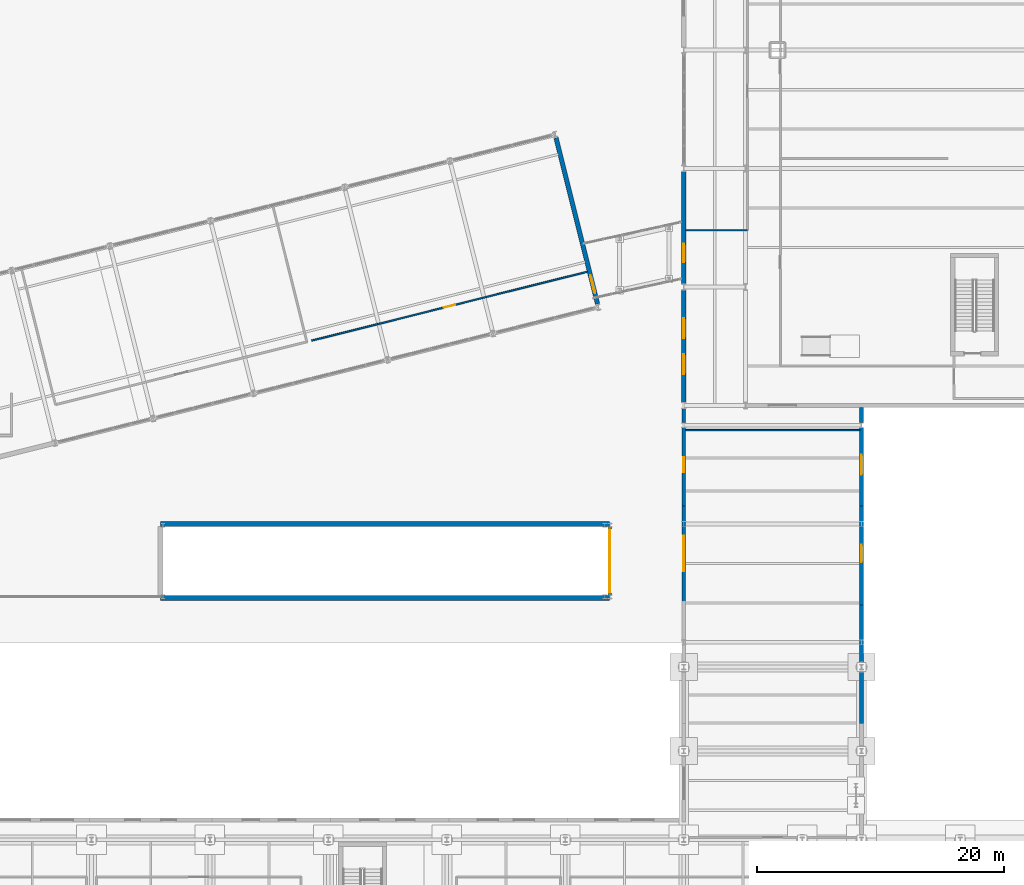
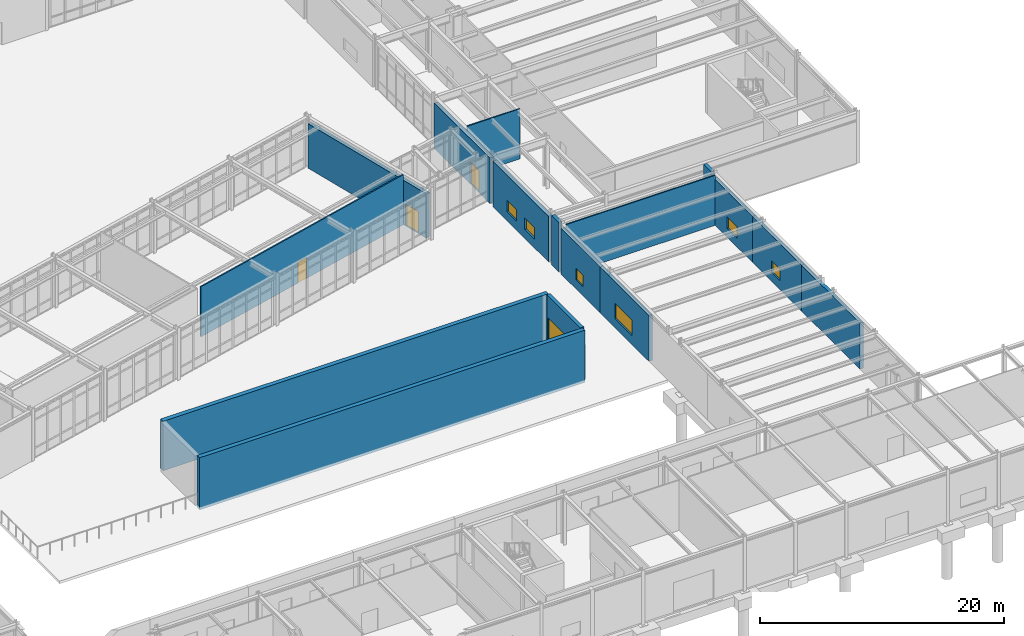
# One storey, part 88 of 109: 16 walls, 6 windows, 4 doors, 10 openings.
"""IFC4 building model written with IfcOpenShell, lengths in metres."""

from ifc_helpers import new_model, si_unit, direction, frame, frame_2d, origin, place, context, subcontext, project, spatial, rectangle, extrude, material, layer, layer_set, type_object, element, fill, save


model = new_model("IFC4")

# Units and contexts
model_context = context("Model", 3, precision=1e-05, world=origin(), true_north=direction((0.0, 1.0)))
body_context = subcontext(model_context, "Body", "Model", "MODEL_VIEW")
ifc_project = project(units=[si_unit("LENGTHUNIT", "METRE"), si_unit("AREAUNIT", "SQUARE_METRE"), si_unit("VOLUMEUNIT", "CUBIC_METRE"), si_unit("PLANEANGLEUNIT", "RADIAN"), si_unit("MASSUNIT", "GRAM", prefix="KILO")], contexts=[model_context])

# Site, building, storey
site_placement = place(None, origin())
site = spatial("IfcSite", under=ifc_project, at=site_placement, CompositionType="ELEMENT")
building_placement = place(site_placement, origin())
building = spatial("IfcBuilding", under=site, at=building_placement, Name="Nordkorset Police Headquarters", CompositionType="ELEMENT")
storey_placement = place(building_placement, origin())
storey = spatial("IfcBuildingStorey", under=building, at=storey_placement, Name="L00", CompositionType="ELEMENT", Elevation=0.0)

# Wall, opening, door
ifc_material_1 = material(Name="Precast concrete C40/50", Category="concrete")
ifc_layer_1 = layer(ifc_material_1, 0.320068359375, Name="Precast concrete C40/50")
ifc_layer_set_1 = layer_set([ifc_layer_1], Name="Precast concrete C40/50")
wall_type_1 = type_object("IfcWallType", Name="Wall_ExtPlinth_320", PredefinedType="SOLIDWALL", material=ifc_layer_set_1)
wall_1_placement = place(storey_placement, frame((80.39990234375, 32.652099609375, 0.0), z_axis=(0.0, 0.0, 1.0), x_axis=(0.0, 1.0, 0.0)))
wall_1 = element("IfcWall", 1, at=wall_1_placement, inside=storey, type_object=wall_type_1, Name="Exterior Insulated Precast Wall L00 RAMP-PORTAL-E", PredefinedType="SOLIDWALL", context=body_context, shape_type="SweptSolid", body=[
    extrude(rectangle(XDim=5.495849609375, YDim=0.320068359375, at=frame_2d((2.748046875, 0.0))), origin(), (0.0, 0.0, 1.0), 4.949951171875),
])
opening_1_placement = place(wall_1_placement, frame((0.14794921875, 0.0, 0.0)))
opening_1 = element("IfcOpeningElement", 2, at=opening_1_placement, cuts=wall_1, Name="Opening VG-03", PredefinedType="OPENING", context=body_context, shape_type="SweptSolid", body=[
    extrude(rectangle(XDim=5.199951171875, YDim=2.75, at=frame_2d((2.60009765625, 1.375))), frame((0.0, 0.169921875, 0.0), z_axis=(0.0, -1.0, 0.0), x_axis=(1.0, 0.0, 0.0)), (0.0, 0.0, 1.0), 0.340087890625),
])
ifc_material_2 = material(Name="Steel S355J2", Category="steel")
door_type_1 = type_object("IfcDoorType", Name="Shutter_CarParkRamp_5200x2750", OperationType="ROLLINGUP", PredefinedType="USERDEFINED", material=ifc_material_2)
door_1_placement = place(opening_1_placement, frame((5.199951171875, 0.0, 0.0), z_axis=(0.0, 0.0, 1.0), x_axis=(-1.0, 0.0, 0.0)))
door_1 = element("IfcDoor", 3, at=door_1_placement, inside=storey, type_object=door_type_1, Name="Basement Car Park Ramp Roller Shutter VG-03", ObjectType="ROLLER SHUTTER", OperationType="SINGLE_SWING_LEFT", OverallHeight=2.75, OverallWidth=5.199951171875, PredefinedType="USERDEFINED", context=body_context, shape_type="SweptSolid", body=[
    extrude(rectangle(XDim=5.199951171875, YDim=2.75, at=frame_2d((2.60009765625, 1.375))), frame((0.0, 0.02490234375, 0.0), z_axis=(0.0, -1.0, 0.0), x_axis=(1.0, 0.0, 0.0)), (0.0, 0.0, 1.0), 0.050048828125),
])
fill(opening_1, door_1)

# Wall, opening, window
wall_2_placement = place(storey_placement, frame((86.39990234375, 31.840087890625, 0.0), z_axis=(0.0, 0.0, 1.0), x_axis=(0.0, 1.0, 0.0)))
wall_2 = element("IfcWall", 4, at=wall_2_placement, inside=storey, type_object=wall_type_1, Name="Exterior Insulated Precast Wall L00 V7E-IN-2", PredefinedType="SOLIDWALL", context=body_context, shape_type="SweptSolid", body=[
    extrude(rectangle(XDim=8.31982421875, YDim=0.320068359375, at=frame_2d((4.159912109375, 0.0))), origin(), (0.0, 0.0, 1.0), 4.590087890625),
])
opening_2_placement = place(wall_2_placement, frame((2.735107421875, 0.0, 0.89990234375)))
opening_2 = element("IfcOpeningElement", 5, at=opening_2_placement, cuts=wall_2, Name="Opening WN-42", PredefinedType="OPENING", context=body_context, shape_type="SweptSolid", body=[
    extrude(rectangle(XDim=2.85009765625, YDim=1.550048828125, at=frame_2d((1.425048828125, 0.77490234375))), frame((0.0, 0.169921875, 0.0), z_axis=(0.0, -1.0, 0.0), x_axis=(1.0, 0.0, 0.0)), (0.0, 0.0, 1.0), 0.340087890625),
])
ifc_material_3 = material(Name="Low-iron triple glazing", Category="glass")
window_type_1 = type_object("IfcWindowType", Name="Win_2850x1550", PartitioningType="SINGLE_PANEL", PredefinedType="WINDOW", material=ifc_material_3)
window_1_placement = place(opening_2_placement, origin())
window_1 = element("IfcWindow", 6, at=window_1_placement, inside=storey, type_object=window_type_1, Name="Triple-Glazed Exterior Window L00 V7E-IN-2-1", OverallHeight=1.550048828125, OverallWidth=2.85009765625, PartitioningType="SINGLE_PANEL", PredefinedType="WINDOW", context=body_context, shape_type="SweptSolid", body=[
    extrude(rectangle(XDim=2.85009765625, YDim=1.550048828125, at=frame_2d((1.425048828125, 0.77490234375))), frame((0.0, 0.030029296875, 0.0), z_axis=(0.0, -1.0, 0.0), x_axis=(1.0, 0.0, 0.0)), (0.0, 0.0, 1.0), 0.06005859375),
])
fill(opening_2, window_1)

wall_3_placement = place(storey_placement, frame((86.39990234375, 39.840087890625, 0.0), z_axis=(0.0, 0.0, 1.0), x_axis=(0.0, 1.0, 0.0)))
wall_3 = element("IfcWall", 7, at=wall_3_placement, inside=storey, type_object=wall_type_1, Name="Exterior Insulated Precast Wall L00 V7E-IN-3", PredefinedType="SOLIDWALL", context=body_context, shape_type="SweptSolid", body=[
    extrude(rectangle(XDim=6.35791015625, YDim=0.320068359375, at=frame_2d((3.178955078125, 0.0))), origin(), (0.0, 0.0, 1.0), 4.590087890625),
])
opening_3_placement = place(wall_3_placement, frame((2.760009765625, 0.0, 0.89990234375)))
opening_3 = element("IfcOpeningElement", 8, at=opening_3_placement, cuts=wall_3, Name="Opening WN-19", PredefinedType="OPENING", context=body_context, shape_type="SweptSolid", body=[
    extrude(rectangle(XDim=1.199951171875, YDim=1.14990234375, at=frame_2d((0.60009765625, 0.574951171875))), frame((0.0, 0.169921875, 0.0), z_axis=(0.0, -1.0, 0.0), x_axis=(1.0, 0.0, 0.0)), (0.0, 0.0, 1.0), 0.340087890625),
])
ifc_material_4 = material(Name="Low-iron triple glazing", Category="glass")
window_type_2 = type_object("IfcWindowType", Name="Win_1200x1150", PartitioningType="SINGLE_PANEL", PredefinedType="WINDOW", material=ifc_material_4)
window_2_placement = place(opening_3_placement, origin())
window_2 = element("IfcWindow", 9, at=window_2_placement, inside=storey, type_object=window_type_2, Name="Triple-Glazed Exterior Window L00 V7E-IN-3-1", OverallHeight=1.14990234375, OverallWidth=1.199951171875, PartitioningType="SINGLE_PANEL", PredefinedType="WINDOW", context=body_context, shape_type="SweptSolid", body=[
    extrude(rectangle(XDim=1.199951171875, YDim=1.14990234375, at=frame_2d((0.60009765625, 0.574951171875))), frame((0.0, 0.030029296875, 0.0), z_axis=(0.0, -1.0, 0.0), x_axis=(1.0, 0.0, 0.0)), (0.0, 0.0, 1.0), 0.06005859375),
])
fill(opening_3, window_2)

# Wall
wall_4_placement = place(storey_placement, frame((100.800048828125, 22.239990234375, 0.0), z_axis=(0.0, 0.0, 1.0), x_axis=(0.0, 1.0, 0.0)))
element("IfcWall", 10, at=wall_4_placement, inside=storey, type_object=wall_type_1, Name="Exterior Insulated Precast Wall L00 V7E-OUT-1", PredefinedType="SOLIDWALL", context=body_context, shape_type="SweptSolid", body=[
    extrude(rectangle(XDim=9.919921875, YDim=0.320068359375, at=frame_2d((4.9599609375, 0.0))), origin(), (0.0, 0.0, 1.0), 4.590087890625),
])

# Wall, opening, window
wall_5_placement = place(storey_placement, frame((100.800048828125, 31.840087890625, 0.0), z_axis=(0.0, 0.0, 1.0), x_axis=(0.0, 1.0, 0.0)))
wall_5 = element("IfcWall", 11, at=wall_5_placement, inside=storey, type_object=wall_type_1, Name="Exterior Insulated Precast Wall L00 V7E-OUT-2", PredefinedType="SOLIDWALL", context=body_context, shape_type="SweptSolid", body=[
    extrude(rectangle(XDim=8.31982421875, YDim=0.320068359375, at=frame_2d((4.159912109375, 0.0))), origin(), (0.0, 0.0, 1.0), 4.590087890625),
])
opening_4_placement = place(wall_5_placement, frame((3.4599609375, 0.0, 0.89990234375)))
opening_4 = element("IfcOpeningElement", 12, at=opening_4_placement, cuts=wall_5, Name="Opening WN-16", PredefinedType="OPENING", context=body_context, shape_type="SweptSolid", body=[
    extrude(rectangle(XDim=1.39990234375, YDim=1.14990234375, at=frame_2d((0.699951171875, 0.574951171875))), frame((0.0, 0.169921875, 0.0), z_axis=(0.0, -1.0, 0.0), x_axis=(1.0, 0.0, 0.0)), (0.0, 0.0, 1.0), 0.340087890625),
])
ifc_material_5 = material(Name="Low-iron triple glazing", Category="glass")
window_type_3 = type_object("IfcWindowType", Name="Win_1400x1150", PartitioningType="SINGLE_PANEL", PredefinedType="WINDOW", material=ifc_material_5)
window_3_placement = place(opening_4_placement, origin())
window_3 = element("IfcWindow", 13, at=window_3_placement, inside=storey, type_object=window_type_3, Name="Triple-Glazed Exterior Window L00 V7E-OUT-2-1", OverallHeight=1.14990234375, OverallWidth=1.39990234375, PartitioningType="SINGLE_PANEL", PredefinedType="WINDOW", context=body_context, shape_type="SweptSolid", body=[
    extrude(rectangle(XDim=1.39990234375, YDim=1.14990234375, at=frame_2d((0.699951171875, 0.574951171875))), frame((0.0, 0.030029296875, 0.0), z_axis=(0.0, -1.0, 0.0), x_axis=(1.0, 0.0, 0.0)), (0.0, 0.0, 1.0), 0.06005859375),
])
fill(opening_4, window_3)

wall_6_placement = place(storey_placement, frame((100.800048828125, 39.840087890625, 0.0), z_axis=(0.0, 0.0, 1.0), x_axis=(0.0, 1.0, 0.0)))
wall_6 = element("IfcWall", 14, at=wall_6_placement, inside=storey, type_object=wall_type_1, Name="Exterior Insulated Precast Wall L00 V7E-OUT-3", PredefinedType="SOLIDWALL", context=body_context, shape_type="SweptSolid", body=[
    extrude(rectangle(XDim=6.35791015625, YDim=0.320068359375, at=frame_2d((3.178955078125, 0.0))), origin(), (0.0, 0.0, 1.0), 4.590087890625),
])
opening_5_placement = place(wall_6_placement, frame((2.56005859375, 0.0, 0.89990234375)))
opening_5 = element("IfcOpeningElement", 15, at=opening_5_placement, cuts=wall_6, Name="Opening WN-17", PredefinedType="OPENING", context=body_context, shape_type="SweptSolid", body=[
    extrude(rectangle(XDim=1.60009765625, YDim=1.14990234375, at=frame_2d((0.800048828125, 0.574951171875))), frame((0.0, 0.169921875, 0.0), z_axis=(0.0, -1.0, 0.0), x_axis=(1.0, 0.0, 0.0)), (0.0, 0.0, 1.0), 0.340087890625),
])
ifc_material_6 = material(Name="Low-iron triple glazing", Category="glass")
window_type_4 = type_object("IfcWindowType", Name="Win_1600x1150", PartitioningType="SINGLE_PANEL", PredefinedType="WINDOW", material=ifc_material_6)
window_4_placement = place(opening_5_placement, origin())
window_4 = element("IfcWindow", 16, at=window_4_placement, inside=storey, type_object=window_type_4, Name="Triple-Glazed Exterior Window L00 V7E-OUT-3-1", OverallHeight=1.14990234375, OverallWidth=1.60009765625, PartitioningType="SINGLE_PANEL", PredefinedType="WINDOW", context=body_context, shape_type="SweptSolid", body=[
    extrude(rectangle(XDim=1.60009765625, YDim=1.14990234375, at=frame_2d((0.800048828125, 0.574951171875))), frame((0.0, 0.030029296875, 0.0), z_axis=(0.0, -1.0, 0.0), x_axis=(1.0, 0.0, 0.0)), (0.0, 0.0, 1.0), 0.06005859375),
])
fill(opening_5, window_4)

# Walls
wall_7_placement = place(storey_placement, frame((86.39990234375, 46.60205078125, 0.0), z_axis=(0.0, 0.0, 1.0), x_axis=(0.0, 1.0, 0.0)))
element("IfcWall", 17, at=wall_7_placement, inside=storey, type_object=wall_type_1, Name="Exterior Insulated Precast Wall L00 V7E-JNC-I", PredefinedType="SOLIDWALL", context=body_context, shape_type="SweptSolid", body=[
    extrude(rectangle(XDim=1.14599609375, YDim=0.320068359375, at=frame_2d((0.572998046875, 0.0))), origin(), (0.0, 0.0, 1.0), 4.949951171875),
])
wall_8_placement = place(storey_placement, frame((100.800048828125, 46.60205078125, 0.0), z_axis=(0.0, 0.0, 1.0), x_axis=(0.0, 1.0, 0.0)))
element("IfcWall", 18, at=wall_8_placement, inside=storey, type_object=wall_type_1, Name="Exterior Insulated Precast Wall L00 V7E-JNC-O", PredefinedType="SOLIDWALL", context=body_context, shape_type="SweptSolid", body=[
    extrude(rectangle(XDim=1.221923828125, YDim=0.320068359375, at=frame_2d((0.61083984375, 0.0))), origin(), (0.0, 0.0, 1.0), 4.949951171875),
])

# Wall, opening, door
ifc_material_7 = material(Name="Precast concrete C40/50", Category="concrete")
ifc_layer_2 = layer(ifc_material_7, 0.360107421875, Name="Precast concrete C40/50")
ifc_layer_set_2 = layer_set([ifc_layer_2], Name="Precast concrete C40/50")
wall_type_2 = type_object("IfcWallType", Name="Wall_ExtPrecast_360", PredefinedType="SOLIDWALL", material=ifc_layer_set_2)
wall_9_placement = place(storey_placement, frame((79.419189453125, 56.214599609375, 0.0), z_axis=(0.0, 0.0, 1.0), x_axis=(-0.242543892923, 0.970140433136, 0.0)))
wall_9 = element("IfcWall", 19, at=wall_9_placement, inside=storey, type_object=wall_type_2, Name="Exterior Insulated Precast Wall L00 V4E-0", PredefinedType="SOLIDWALL", context=body_context, shape_type="SweptSolid", body=[
    extrude(rectangle(XDim=13.89599609375, YDim=0.360107421875, at=frame_2d((6.947998046875, 0.0))), origin(), (0.0, 0.0, 1.0), 4.43994140625),
])
opening_6_placement = place(wall_9_placement, frame((0.91796875, 0.0, 0.0)))
opening_6 = element("IfcOpeningElement", 20, at=opening_6_placement, cuts=wall_9, Name="Opening EXD-03", PredefinedType="OPENING", context=body_context, shape_type="SweptSolid", body=[
    extrude(rectangle(XDim=1.5, YDim=2.199951171875, at=frame_2d((0.75, 1.10009765625))), frame((0.0, 0.18994140625, 0.0), z_axis=(0.0, -1.0, 0.0), x_axis=(1.0, 0.0, 0.0)), (0.0, 0.0, 1.0), 0.380126953125),
])
ifc_material_8 = material(Name="Aluminium alloy AW-6060", Category="aluminium")
door_type_2 = type_object("IfcDoorType", Name="ExtDoor_BridgePortal_1500x2200", OperationType="DOUBLE_DOOR_SINGLE_SWING", PredefinedType="DOOR", material=ifc_material_8)
door_2_placement = place(opening_6_placement, frame((1.5, 0.0, 0.0), z_axis=(0.0, 0.0, 1.0), x_axis=(-1.0, 0.0, 0.0)))
door_2 = element("IfcDoor", 21, at=door_2_placement, inside=storey, type_object=door_type_2, Name="East Link Bridge Portal Door V4 L00", OperationType="SINGLE_SWING_LEFT", OverallHeight=2.199951171875, OverallWidth=1.5, PredefinedType="DOOR", context=body_context, shape_type="SweptSolid", body=[
    extrude(rectangle(XDim=1.5, YDim=2.199951171875, at=frame_2d((0.75, 1.10009765625))), frame((0.0, 0.02490234375, 0.0), z_axis=(0.0, -1.0, 0.0), x_axis=(1.0, 0.0, 0.0)), (0.0, 0.0, 1.0), 0.050048828125),
])
fill(opening_6, door_2)

# Wall, openings, windows
wall_10_placement = place(storey_placement, frame((86.39990234375, 48.251953125, 0.0), z_axis=(0.0, 0.0, 1.0), x_axis=(0.0, 1.0, 0.0)))
wall_10 = element("IfcWall", 22, at=wall_10_placement, inside=storey, type_object=wall_type_2, Name="Exterior Insulated Precast Wall L00 V5W-0", PredefinedType="SOLIDWALL", context=body_context, shape_type="SweptSolid", body=[
    extrude(rectangle(XDim=9.095947265625, YDim=0.360107421875, at=frame_2d((4.5478515625, 0.0))), origin(), (0.0, 0.0, 1.0), 4.5400390625),
])
opening_7_placement = place(wall_10_placement, frame((2.28125, 0.0, 0.89990234375)))
opening_7 = element("IfcOpeningElement", 23, at=opening_7_placement, cuts=wall_10, Name="Opening WN-17", PredefinedType="OPENING", context=body_context, shape_type="SweptSolid", body=[
    extrude(rectangle(XDim=1.60009765625, YDim=1.14990234375, at=frame_2d((0.800048828125, 0.574951171875))), frame((0.0, 0.18994140625, 0.0), z_axis=(0.0, -1.0, 0.0), x_axis=(1.0, 0.0, 0.0)), (0.0, 0.0, 1.0), 0.380126953125),
])
opening_8_placement = place(wall_10_placement, frame((5.214599609375, 0.0, 0.89990234375)))
opening_8 = element("IfcOpeningElement", 24, at=opening_8_placement, cuts=wall_10, Name="Opening WN-17", PredefinedType="OPENING", context=body_context, shape_type="SweptSolid", body=[
    extrude(rectangle(XDim=1.60009765625, YDim=1.14990234375, at=frame_2d((0.800048828125, 0.574951171875))), frame((0.0, 0.18994140625, 0.0), z_axis=(0.0, -1.0, 0.0), x_axis=(1.0, 0.0, 0.0)), (0.0, 0.0, 1.0), 0.380126953125),
])
window_5_placement = place(opening_7_placement, origin())
window_5 = element("IfcWindow", 25, at=window_5_placement, inside=storey, type_object=window_type_4, Name="Triple-Glazed Exterior Window L00 V5W-0-1", OverallHeight=1.14990234375, OverallWidth=1.60009765625, PartitioningType="SINGLE_PANEL", PredefinedType="WINDOW", context=body_context, shape_type="SweptSolid", body=[
    extrude(rectangle(XDim=1.60009765625, YDim=1.14990234375, at=frame_2d((0.800048828125, 0.574951171875))), frame((0.0, 0.030029296875, 0.0), z_axis=(0.0, -1.0, 0.0), x_axis=(1.0, 0.0, 0.0)), (0.0, 0.0, 1.0), 0.06005859375),
])
fill(opening_7, window_5)
window_6_placement = place(opening_8_placement, origin())
window_6 = element("IfcWindow", 26, at=window_6_placement, inside=storey, type_object=window_type_4, Name="Triple-Glazed Exterior Window L00 V5W-0-2", OverallHeight=1.14990234375, OverallWidth=1.60009765625, PartitioningType="SINGLE_PANEL", PredefinedType="WINDOW", context=body_context, shape_type="SweptSolid", body=[
    extrude(rectangle(XDim=1.60009765625, YDim=1.14990234375, at=frame_2d((0.800048828125, 0.574951171875))), frame((0.0, 0.030029296875, 0.0), z_axis=(0.0, -1.0, 0.0), x_axis=(1.0, 0.0, 0.0)), (0.0, 0.0, 1.0), 0.06005859375),
])
fill(opening_8, window_6)

# Wall, opening, door
wall_11_placement = place(storey_placement, frame((86.39990234375, 57.85205078125, 0.0), z_axis=(0.0, 0.0, 1.0), x_axis=(0.0, 1.0, 0.0)))
wall_11 = element("IfcWall", 27, at=wall_11_placement, inside=storey, type_object=wall_type_2, Name="Exterior Insulated Precast Wall L00 V5W-1", PredefinedType="SOLIDWALL", context=body_context, shape_type="SweptSolid", body=[
    extrude(rectangle(XDim=9.095947265625, YDim=0.360107421875, at=frame_2d((4.5478515625, 0.0))), origin(), (0.0, 0.0, 1.0), 4.5400390625),
])
opening_9_placement = place(wall_11_placement, frame((1.748046875, 0.0, 0.0)))
opening_9 = element("IfcOpeningElement", 28, at=opening_9_placement, cuts=wall_11, Name="Opening EXD-03", PredefinedType="OPENING", context=body_context, shape_type="SweptSolid", body=[
    extrude(rectangle(XDim=1.5, YDim=2.199951171875, at=frame_2d((0.75, 1.10009765625))), frame((0.0, 0.18994140625, 0.0), z_axis=(0.0, -1.0, 0.0), x_axis=(1.0, 0.0, 0.0)), (0.0, 0.0, 1.0), 0.380126953125),
])
door_3_placement = place(opening_9_placement, origin())
door_3 = element("IfcDoor", 29, at=door_3_placement, inside=storey, type_object=door_type_2, Name="East Link Bridge Portal Door V5 L00", OperationType="SINGLE_SWING_LEFT", OverallHeight=2.199951171875, OverallWidth=1.5, PredefinedType="DOOR", context=body_context, shape_type="SweptSolid", body=[
    extrude(rectangle(XDim=1.5, YDim=2.199951171875, at=frame_2d((0.75, 1.10009765625))), frame((0.0, 0.02490234375, 0.0), z_axis=(0.0, -1.0, 0.0), x_axis=(1.0, 0.0, 0.0)), (0.0, 0.0, 1.0), 0.050048828125),
])
fill(opening_9, door_3)

ifc_material_9 = material(Name="Gypsum board", Category="gypsum")
ifc_layer_3 = layer(ifc_material_9, 0.1201171875, Name="Gypsum board")
ifc_layer_set_3 = layer_set([ifc_layer_3], Name="Gypsum board")
wall_type_3 = type_object("IfcWallType", Name="Wall_Part_120", PredefinedType="PARTITIONING", material=ifc_layer_set_3)
wall_12_placement = place(storey_placement, frame((56.245361328125, 53.253662109375, 0.0), z_axis=(0.0, 0.0, 1.0), x_axis=(0.970141252682, 0.242540614836, 0.0)))
wall_12 = element("IfcWall", 30, at=wall_12_placement, inside=storey, type_object=wall_type_3, Name="Interior Partition Wall Commercial Kitchen and Serveries", PredefinedType="PARTITIONING", context=body_context, shape_type="SweptSolid", body=[
    extrude(rectangle(XDim=23.02490234375, YDim=0.1201171875, at=frame_2d((11.512451171875, 0.0))), origin(), (0.0, 0.0, 1.0), 5.0),
])
opening_10_placement = place(wall_12_placement, frame((11.0224609375, 0.0, 0.0)))
opening_10 = element("IfcOpeningElement", 31, at=opening_10_placement, cuts=wall_12, Name="Opening DR-18", PredefinedType="OPENING", context=body_context, shape_type="SweptSolid", body=[
    extrude(rectangle(XDim=0.97998046875, YDim=2.10009765625, at=frame_2d((0.489990234375, 1.050048828125))), frame((0.0, 0.070068359375, 0.0), z_axis=(0.0, -1.0, 0.0), x_axis=(1.0, 0.0, 0.0)), (0.0, 0.0, 1.0), 0.14013671875),
])
ifc_material_10 = material(Name="Glulam GL30c", Category="wood")
door_type_3 = type_object("IfcDoorType", Name="Door_Office_980x2100", OperationType="NOTDEFINED", PredefinedType="DOOR", material=ifc_material_10)
door_4_placement = place(opening_10_placement, frame((0.97998046875, 0.0, 0.0), z_axis=(0.0, 0.0, 1.0), x_axis=(-1.0, 0.0, 0.0)))
door_4 = element("IfcDoor", 32, at=door_4_placement, inside=storey, type_object=door_type_3, Name="Interior Door Commercial Kitchen and Serveries", OperationType="SINGLE_SWING_RIGHT", OverallHeight=2.10009765625, OverallWidth=0.97998046875, PredefinedType="DOOR", context=body_context, shape_type="SweptSolid", body=[
    extrude(rectangle(XDim=0.97998046875, YDim=2.10009765625, at=frame_2d((0.489990234375, 1.050048828125))), frame((0.0, 0.02490234375, 0.0), z_axis=(0.0, -1.0, 0.0), x_axis=(1.0, 0.0, 0.0)), (0.0, 0.0, 1.0), 0.050048828125),
])
fill(opening_10, door_4)

# Walls
wall_13_placement = place(storey_placement, frame((86.574951171875, 62.199951171875, 0.0), z_axis=(0.0, 0.0, 1.0), x_axis=(1.0, 0.0, 0.0)))
element("IfcWall", 33, at=wall_13_placement, inside=storey, type_object=wall_type_3, Name="Interior Partition Wall Patrol Kit Issue Office", PredefinedType="PARTITIONING", context=body_context, shape_type="SweptSolid", body=[
    extrude(rectangle(XDim=4.97509765625, YDim=0.1201171875, at=frame_2d((2.487548828125, 0.0))), origin(), (0.0, 0.0, 1.0), 5.0),
])
wall_14_placement = place(storey_placement, frame((100.64501953125, 46.0, 0.0), z_axis=(0.0, 0.0, 1.0), x_axis=(-1.0, 0.0, 0.0)))
element("IfcWall", 34, at=wall_14_placement, inside=storey, type_object=wall_type_3, Name="Interior Partition Wall Mobile Command Vehicle Bay", PredefinedType="PARTITIONING", context=body_context, shape_type="SweptSolid", body=[
    extrude(rectangle(XDim=14.090087890625, YDim=0.1201171875, at=frame_2d((7.044921875, 0.0))), origin(), (0.0, 0.0, 1.0), 5.0),
])
ifc_material_11 = material(Name="Concrete C40/50", Category="concrete")
ifc_layer_4 = layer(ifc_material_11, 0.39990234375, Name="Concrete C40/50")
ifc_layer_set_4 = layer_set([ifc_layer_4], Name="Concrete C40/50")
wall_type_4 = type_object("IfcWallType", Name="Wall_Retaining_400", PredefinedType="USERDEFINED", material=ifc_layer_set_4)
wall_15_placement = place(storey_placement, frame((44.0, 32.39990234375, -0.27001953125), z_axis=(0.0, 0.0, 1.0), x_axis=(1.0, 0.0, 0.0)))
element("IfcWall", 35, at=wall_15_placement, inside=storey, type_object=wall_type_4, Name="Vehicle Ramp Portal Hood Wall S", ObjectType="RETAINING WALL", PredefinedType="USERDEFINED", context=body_context, shape_type="SweptSolid", body=[
    extrude(rectangle(XDim=36.39990234375, YDim=0.39990234375, at=frame_2d((18.199951171875, 0.0))), origin(), (0.0, 0.0, 1.0), 5.219970703125),
])
wall_16_placement = place(storey_placement, frame((44.0, 38.39990234375, 0.0), z_axis=(0.0, 0.0, 1.0), x_axis=(1.0, 0.0, 0.0)))
element("IfcWall", 36, at=wall_16_placement, inside=storey, type_object=wall_type_4, Name="Vehicle Ramp Portal Hood Wall N", ObjectType="RETAINING WALL", PredefinedType="USERDEFINED", context=body_context, shape_type="SweptSolid", body=[
    extrude(rectangle(XDim=36.39990234375, YDim=0.39990234375, at=frame_2d((18.199951171875, 0.0))), origin(), (0.0, 0.0, 1.0), 4.949951171875),
])

save(model, "model.ifc")
